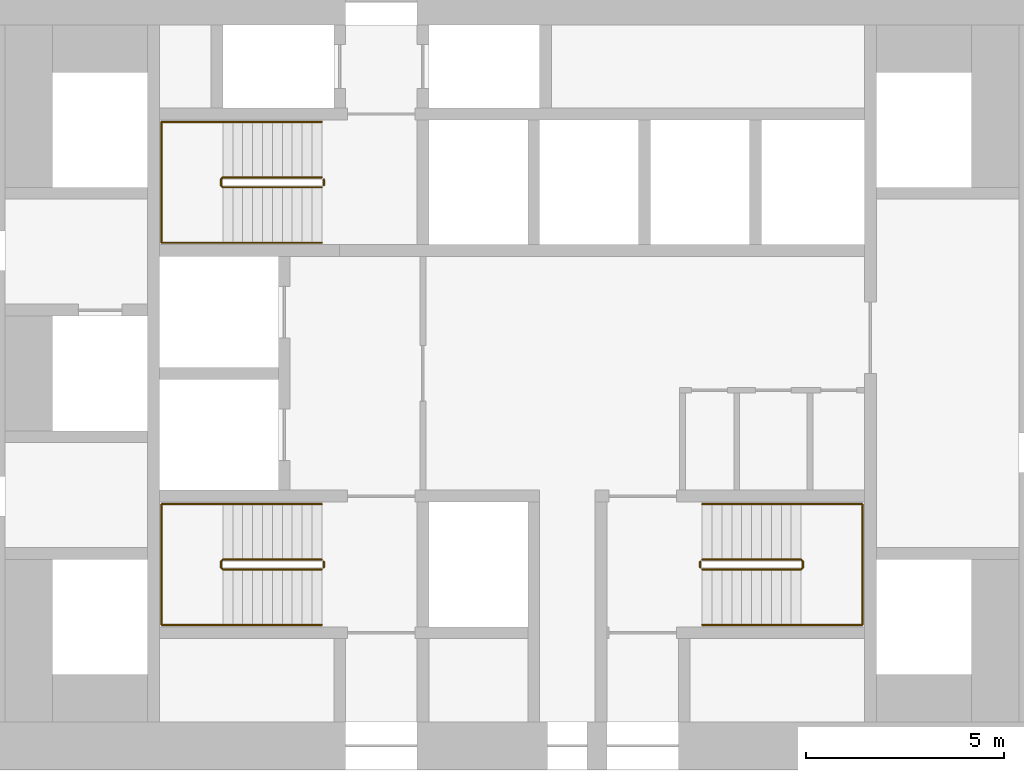
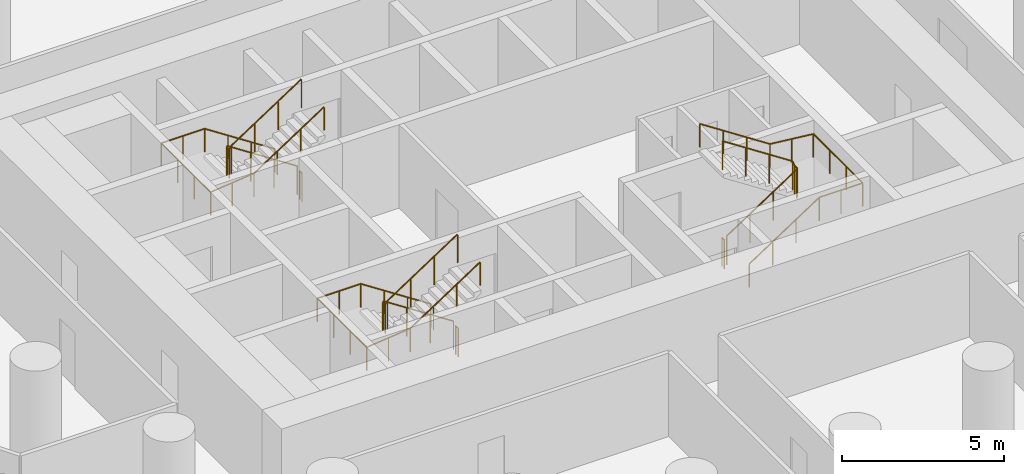
# One storey, part 12 of 12: 9 railings.
"""IFC4 building model written with IfcOpenShell, lengths in metres."""

from ifc_helpers import new_model, si_unit, direction, frame, origin, origin_2d, place, context, subcontext, project, spatial, circle, extrude, material, type_object, element, save


model = new_model("IFC4")

# Units and contexts
model_context = context("Model", 3, precision=1e-05, world=origin(), true_north=direction((0.0, 1.0)))
body_context = subcontext(model_context, "Body", "Model", "MODEL_VIEW")
ifc_project = project(units=[si_unit("LENGTHUNIT", "METRE"), si_unit("AREAUNIT", "SQUARE_METRE"), si_unit("VOLUMEUNIT", "CUBIC_METRE"), si_unit("PLANEANGLEUNIT", "RADIAN"), si_unit("MASSUNIT", "GRAM", prefix="KILO")], contexts=[model_context])

# Site, building, storey
site_placement = place(None, origin())
site = spatial("IfcSite", under=ifc_project, at=site_placement, CompositionType="ELEMENT")
building_placement = place(site_placement, origin())
building = spatial("IfcBuilding", under=site, at=building_placement, Name="Tracery Tower", CompositionType="ELEMENT")
storey_placement = place(building_placement, frame((0.0, 0.0, 42.60009765625)))
storey = spatial("IfcBuildingStorey", under=building, at=storey_placement, Name="L09", CompositionType="ELEMENT", Elevation=42.60009765625)

# Railings
ifc_material_1 = material(Name="Stainless steel and laminated glass", Category="steel")
railing_type_1 = type_object("IfcRailingType", Name="Stair guard 1100", PredefinedType="GUARDRAIL", material=ifc_material_1)
railing_1_placement = place(storey_placement, frame((-4.800048828125, -4.699951171875, 0.16357421875)))
element("IfcRailing", 1, at=railing_1_placement, inside=storey, type_object=railing_type_1, Name="L09 stair ST1 guard 1", PredefinedType="GUARDRAIL", context=body_context, shape_type="SweptSolid", body=[
    extrude(circle(Radius=0.02392578125, at=origin_2d()), frame((0.0, 0.0, 1.076171875), z_axis=(-0.836721939367, 0.0, 0.547627972425), x_axis=(0.0, -1.0, 0.0)), (0.0, 0.0, 1.0), 2.98779296875),
    extrude(circle(Radius=0.02392578125, at=origin_2d()), frame((-2.5, 0.0, 2.71240234375), z_axis=(-0.707106781187, -0.707106781187, 0.0), x_axis=(0.707106781187, -0.707106781187, 0.0)), (0.0, 0.0, 1.0), 0.07080078125),
    extrude(circle(Radius=0.02392578125, at=origin_2d()), frame((-2.550048828125, -0.050048828125, 2.71240234375), z_axis=(0.0, -1.0, 0.0), x_axis=(1.0, 0.0, 0.0)), (0.0, 0.0, 1.0), 0.14990234375),
    extrude(circle(Radius=0.02392578125, at=origin_2d()), frame((-2.550048828125, -0.199951171875, 2.71240234375), z_axis=(0.280456126637, -0.280456126637, 0.917980785237), x_axis=(0.707106781187, 0.707106781187, 0.0)), (0.0, 0.0, 1.0), 0.178466796875),
    extrude(circle(Radius=0.02392578125, at=origin_2d()), frame((-2.5, -0.25, 2.8759765625), z_axis=(0.836721939367, 0.0, 0.547627972425), x_axis=(0.0, 1.0, 0.0)), (0.0, 0.0, 1.0), 2.98779296875),
    extrude(circle(Radius=0.02099609375, at=origin_2d()), origin(), (0.0, 0.0, 1.0), 1.052001953125),
    extrude(circle(Radius=0.02099609375, at=origin_2d()), frame((-0.833251953125, 0.0, 0.54541015625)), (0.0, 0.0, 1.0), 1.052001953125),
    extrude(circle(Radius=0.02099609375, at=origin_2d()), frame((-1.666748046875, 0.0, 1.0908203125)), (0.0, 0.0, 1.0), 1.052001953125),
    extrude(circle(Radius=0.02099609375, at=origin_2d()), frame((-2.5, 0.0, 1.63623046875)), (0.0, 0.0, 1.0), 1.052001953125),
    extrude(circle(Radius=0.02099609375, at=origin_2d()), frame((-2.550048828125, -0.050048828125, 1.63623046875)), (0.0, 0.0, 1.0), 1.052001953125),
    extrude(circle(Radius=0.02099609375, at=origin_2d()), frame((-2.550048828125, -0.199951171875, 1.63623046875)), (0.0, 0.0, 1.0), 1.052001953125),
    extrude(circle(Radius=0.02099609375, at=origin_2d()), frame((-2.5, -0.25, 1.800048828125)), (0.0, 0.0, 1.0), 1.052001953125),
    extrude(circle(Radius=0.02099609375, at=origin_2d()), frame((-1.666748046875, -0.25, 2.345458984375)), (0.0, 0.0, 1.0), 1.052001953125),
    extrude(circle(Radius=0.02099609375, at=origin_2d()), frame((-0.833251953125, -0.25, 2.890869140625)), (0.0, 0.0, 1.0), 1.052001953125),
    extrude(circle(Radius=0.02099609375, at=origin_2d()), frame((0.0, -0.25, 3.436279296875)), (0.0, 0.0, 1.0), 1.052001953125),
])
railing_2_placement = place(storey_placement, frame((-4.75, -4.75, 0.0)))
element("IfcRailing", 2, at=railing_2_placement, inside=storey, type_object=railing_type_1, Name="L09 stair ST1 guard 2", PredefinedType="GUARDRAIL", context=body_context, shape_type="SweptSolid", body=[
    extrude(circle(Radius=0.02392578125, at=origin_2d()), frame((0.0, 0.0, 1.076171875), z_axis=(0.0, -1.0, 0.0), x_axis=(1.0, 0.0, 0.0)), (0.0, 0.0, 1.0), 0.14990234375),
    extrude(circle(Radius=0.02099609375, at=origin_2d()), origin(), (0.0, 0.0, 1.0), 1.052001953125),
    extrude(circle(Radius=0.02099609375, at=origin_2d()), frame((0.0, -0.14990234375, 0.0)), (0.0, 0.0, 1.0), 1.052001953125),
])
railing_3_placement = place(storey_placement, frame((-4.800048828125, 4.949951171875, 0.16357421875)))
element("IfcRailing", 3, at=railing_3_placement, inside=storey, type_object=railing_type_1, Name="L09 stair ST3 guard 1", PredefinedType="GUARDRAIL", context=body_context, shape_type="SweptSolid", body=[
    extrude(circle(Radius=0.02392578125, at=origin_2d()), frame((0.0, 0.0, 1.076171875), z_axis=(-0.836721939367, 0.0, 0.547627972425), x_axis=(0.0, -1.0, 0.0)), (0.0, 0.0, 1.0), 2.98779296875),
    extrude(circle(Radius=0.02392578125, at=origin_2d()), frame((-2.5, 0.0, 2.71240234375), z_axis=(-0.707106781187, -0.707106781187, 0.0), x_axis=(0.707106781187, -0.707106781187, 0.0)), (0.0, 0.0, 1.0), 0.07080078125),
    extrude(circle(Radius=0.02392578125, at=origin_2d()), frame((-2.550048828125, -0.050048828125, 2.71240234375), z_axis=(0.0, -1.0, 0.0), x_axis=(1.0, 0.0, 0.0)), (0.0, 0.0, 1.0), 0.14990234375),
    extrude(circle(Radius=0.02392578125, at=origin_2d()), frame((-2.550048828125, -0.199951171875, 2.71240234375), z_axis=(0.280456126637, -0.280456126637, 0.917980785237), x_axis=(0.707106781187, 0.707106781187, 0.0)), (0.0, 0.0, 1.0), 0.178466796875),
    extrude(circle(Radius=0.02392578125, at=origin_2d()), frame((-2.5, -0.25, 2.8759765625), z_axis=(0.836721939367, 0.0, 0.547627972425), x_axis=(0.0, 1.0, 0.0)), (0.0, 0.0, 1.0), 2.98779296875),
    extrude(circle(Radius=0.02099609375, at=origin_2d()), origin(), (0.0, 0.0, 1.0), 1.052001953125),
    extrude(circle(Radius=0.02099609375, at=origin_2d()), frame((-0.833251953125, 0.0, 0.54541015625)), (0.0, 0.0, 1.0), 1.052001953125),
    extrude(circle(Radius=0.02099609375, at=origin_2d()), frame((-1.666748046875, 0.0, 1.0908203125)), (0.0, 0.0, 1.0), 1.052001953125),
    extrude(circle(Radius=0.02099609375, at=origin_2d()), frame((-2.5, 0.0, 1.63623046875)), (0.0, 0.0, 1.0), 1.052001953125),
    extrude(circle(Radius=0.02099609375, at=origin_2d()), frame((-2.550048828125, -0.050048828125, 1.63623046875)), (0.0, 0.0, 1.0), 1.052001953125),
    extrude(circle(Radius=0.02099609375, at=origin_2d()), frame((-2.550048828125, -0.199951171875, 1.63623046875)), (0.0, 0.0, 1.0), 1.052001953125),
    extrude(circle(Radius=0.02099609375, at=origin_2d()), frame((-2.5, -0.25, 1.800048828125)), (0.0, 0.0, 1.0), 1.052001953125),
    extrude(circle(Radius=0.02099609375, at=origin_2d()), frame((-1.666748046875, -0.25, 2.345458984375)), (0.0, 0.0, 1.0), 1.052001953125),
    extrude(circle(Radius=0.02099609375, at=origin_2d()), frame((-0.833251953125, -0.25, 2.890869140625)), (0.0, 0.0, 1.0), 1.052001953125),
    extrude(circle(Radius=0.02099609375, at=origin_2d()), frame((0.0, -0.25, 3.436279296875)), (0.0, 0.0, 1.0), 1.052001953125),
])
railing_4_placement = place(storey_placement, frame((-4.75, 4.89990234375, 0.0)))
element("IfcRailing", 4, at=railing_4_placement, inside=storey, type_object=railing_type_1, Name="L09 stair ST3 guard 2", PredefinedType="GUARDRAIL", context=body_context, shape_type="SweptSolid", body=[
    extrude(circle(Radius=0.02392578125, at=origin_2d()), frame((0.0, 0.0, 1.076171875), z_axis=(0.0, -1.0, 0.0), x_axis=(1.0, 0.0, 0.0)), (0.0, 0.0, 1.0), 0.14990234375),
    extrude(circle(Radius=0.02099609375, at=origin_2d()), origin(), (0.0, 0.0, 1.0), 1.052001953125),
    extrude(circle(Radius=0.02099609375, at=origin_2d()), frame((0.0, -0.14990234375, 0.0)), (0.0, 0.0, 1.0), 1.052001953125),
])
railing_5_placement = place(storey_placement, frame((4.800048828125, -4.949951171875, 0.16357421875)))
element("IfcRailing", 5, at=railing_5_placement, inside=storey, type_object=railing_type_1, Name="L09 stair ST2 guard 1", PredefinedType="GUARDRAIL", context=body_context, shape_type="SweptSolid", body=[
    extrude(circle(Radius=0.02392578125, at=origin_2d()), frame((0.0, 0.0, 1.076171875), z_axis=(0.836721939367, 0.0, 0.547627972425), x_axis=(0.0, 1.0, 0.0)), (0.0, 0.0, 1.0), 2.98779296875),
    extrude(circle(Radius=0.02392578125, at=origin_2d()), frame((2.5, 0.0, 2.71240234375), z_axis=(0.707106781187, 0.707106781187, 0.0), x_axis=(-0.707106781187, 0.707106781187, 0.0)), (0.0, 0.0, 1.0), 0.07080078125),
    extrude(circle(Radius=0.02392578125, at=origin_2d()), frame((2.550048828125, 0.050048828125, 2.71240234375), z_axis=(0.0, 1.0, 0.0), x_axis=(-1.0, 0.0, 0.0)), (0.0, 0.0, 1.0), 0.14990234375),
    extrude(circle(Radius=0.02392578125, at=origin_2d()), frame((2.550048828125, 0.199951171875, 2.71240234375), z_axis=(-0.280456126637, 0.280456126637, 0.917980785237), x_axis=(-0.707106781187, -0.707106781187, 0.0)), (0.0, 0.0, 1.0), 0.178466796875),
    extrude(circle(Radius=0.02392578125, at=origin_2d()), frame((2.5, 0.25, 2.8759765625), z_axis=(-0.836721939367, 0.0, 0.547627972425), x_axis=(0.0, -1.0, 0.0)), (0.0, 0.0, 1.0), 2.98779296875),
    extrude(circle(Radius=0.02099609375, at=origin_2d()), origin(), (0.0, 0.0, 1.0), 1.052001953125),
    extrude(circle(Radius=0.02099609375, at=origin_2d()), frame((0.833251953125, 0.0, 0.54541015625)), (0.0, 0.0, 1.0), 1.052001953125),
    extrude(circle(Radius=0.02099609375, at=origin_2d()), frame((1.666748046875, 0.0, 1.0908203125)), (0.0, 0.0, 1.0), 1.052001953125),
    extrude(circle(Radius=0.02099609375, at=origin_2d()), frame((2.5, 0.0, 1.63623046875)), (0.0, 0.0, 1.0), 1.052001953125),
    extrude(circle(Radius=0.02099609375, at=origin_2d()), frame((2.550048828125, 0.050048828125, 1.63623046875)), (0.0, 0.0, 1.0), 1.052001953125),
    extrude(circle(Radius=0.02099609375, at=origin_2d()), frame((2.550048828125, 0.199951171875, 1.63623046875)), (0.0, 0.0, 1.0), 1.052001953125),
    extrude(circle(Radius=0.02099609375, at=origin_2d()), frame((2.5, 0.25, 1.800048828125)), (0.0, 0.0, 1.0), 1.052001953125),
    extrude(circle(Radius=0.02099609375, at=origin_2d()), frame((1.666748046875, 0.25, 2.345458984375)), (0.0, 0.0, 1.0), 1.052001953125),
    extrude(circle(Radius=0.02099609375, at=origin_2d()), frame((0.833251953125, 0.25, 2.890869140625)), (0.0, 0.0, 1.0), 1.052001953125),
    extrude(circle(Radius=0.02099609375, at=origin_2d()), frame((0.0, 0.25, 3.436279296875)), (0.0, 0.0, 1.0), 1.052001953125),
])
railing_6_placement = place(storey_placement, frame((4.75, -4.89990234375, 0.0)))
element("IfcRailing", 6, at=railing_6_placement, inside=storey, type_object=railing_type_1, Name="L09 stair ST2 guard 2", PredefinedType="GUARDRAIL", context=body_context, shape_type="SweptSolid", body=[
    extrude(circle(Radius=0.02392578125, at=origin_2d()), frame((0.0, 0.0, 1.076171875), z_axis=(0.0, 1.0, 0.0), x_axis=(-1.0, 0.0, 0.0)), (0.0, 0.0, 1.0), 0.14990234375),
    extrude(circle(Radius=0.02099609375, at=origin_2d()), origin(), (0.0, 0.0, 1.0), 1.052001953125),
    extrude(circle(Radius=0.02099609375, at=origin_2d()), frame((0.0, 0.14990234375, 0.0)), (0.0, 0.0, 1.0), 1.052001953125),
])
ifc_material_2 = material(Name="Stainless steel and laminated glass", Category="steel")
railing_type_2 = type_object("IfcRailingType", Name="Stair handrail 900", PredefinedType="HANDRAIL", material=ifc_material_2)
railing_7_placement = place(storey_placement, frame((-4.800048828125, -3.300048828125, 0.16357421875)))
element("IfcRailing", 7, at=railing_7_placement, inside=storey, type_object=railing_type_2, Name="L09 stair ST1 handrail 1", PredefinedType="HANDRAIL", context=body_context, shape_type="SweptSolid", body=[
    extrude(circle(Radius=0.02392578125, at=origin_2d()), frame((0.0, 0.0, 0.8759765625), z_axis=(-0.836721939367, 0.0, 0.547627972425), x_axis=(0.0, -1.0, 0.0)), (0.0, 0.0, 1.0), 2.98779296875),
    extrude(circle(Radius=0.02392578125, at=origin_2d()), frame((-2.5, 0.0, 2.51220703125), z_axis=(-1.0, 0.0, 0.0), x_axis=(0.0, -1.0, 0.0)), (0.0, 0.0, 1.0), 1.550048828125),
    extrude(circle(Radius=0.02392578125, at=origin_2d()), frame((-4.050048828125, 0.0, 2.51220703125), z_axis=(0.0, -1.0, 0.0), x_axis=(1.0, 0.0, 0.0)), (0.0, 0.0, 1.0), 3.050048828125),
    extrude(circle(Radius=0.02392578125, at=origin_2d()), frame((-4.050048828125, -3.050048828125, 2.51220703125), z_axis=(0.994461594632, 0.0, 0.105100603244), x_axis=(0.0, 1.0, 0.0)), (0.0, 0.0, 1.0), 1.55859375),
    extrude(circle(Radius=0.02392578125, at=origin_2d()), frame((-2.5, -3.050048828125, 2.67578125), z_axis=(0.836721939367, 0.0, 0.547627972425), x_axis=(0.0, 1.0, 0.0)), (0.0, 0.0, 1.0), 2.98779296875),
    extrude(circle(Radius=0.02099609375, at=origin_2d()), origin(), (0.0, 0.0, 1.0), 0.851806640625),
    extrude(circle(Radius=0.02099609375, at=origin_2d()), frame((-0.833251953125, 0.0, 0.54541015625)), (0.0, 0.0, 1.0), 0.851806640625),
    extrude(circle(Radius=0.02099609375, at=origin_2d()), frame((-1.666748046875, 0.0, 1.0908203125)), (0.0, 0.0, 1.0), 0.851806640625),
    extrude(circle(Radius=0.02099609375, at=origin_2d()), frame((-2.5, 0.0, 1.63623046875)), (0.0, 0.0, 1.0), 0.851806640625),
    extrude(circle(Radius=0.02099609375, at=origin_2d()), frame((-3.27490234375, 0.0, 1.63623046875)), (0.0, 0.0, 1.0), 0.851806640625),
    extrude(circle(Radius=0.02099609375, at=origin_2d()), frame((-4.050048828125, 0.0, 1.63623046875)), (0.0, 0.0, 1.0), 0.851806640625),
    extrude(circle(Radius=0.02099609375, at=origin_2d()), frame((-4.050048828125, -1.0166015625, 1.63623046875)), (0.0, 0.0, 1.0), 0.851806640625),
    extrude(circle(Radius=0.02099609375, at=origin_2d()), frame((-4.050048828125, -2.033447265625, 1.63623046875)), (0.0, 0.0, 1.0), 0.851806640625),
    extrude(circle(Radius=0.02099609375, at=origin_2d()), frame((-4.050048828125, -3.050048828125, 1.63623046875)), (0.0, 0.0, 1.0), 0.851806640625),
    extrude(circle(Radius=0.02099609375, at=origin_2d()), frame((-3.27490234375, -3.050048828125, 1.71826171875)), (0.0, 0.0, 1.0), 0.851806640625),
    extrude(circle(Radius=0.02099609375, at=origin_2d()), frame((-2.5, -3.050048828125, 1.800048828125)), (0.0, 0.0, 1.0), 0.851806640625),
    extrude(circle(Radius=0.02099609375, at=origin_2d()), frame((-1.666748046875, -3.050048828125, 2.345458984375)), (0.0, 0.0, 1.0), 0.851806640625),
    extrude(circle(Radius=0.02099609375, at=origin_2d()), frame((-0.833251953125, -3.050048828125, 2.890869140625)), (0.0, 0.0, 1.0), 0.851806640625),
    extrude(circle(Radius=0.02099609375, at=origin_2d()), frame((0.0, -3.050048828125, 3.436279296875)), (0.0, 0.0, 1.0), 0.851806640625),
])
railing_8_placement = place(storey_placement, frame((-4.800048828125, 6.35009765625, 0.16357421875)))
element("IfcRailing", 8, at=railing_8_placement, inside=storey, type_object=railing_type_2, Name="L09 stair ST3 handrail 1", PredefinedType="HANDRAIL", context=body_context, shape_type="SweptSolid", body=[
    extrude(circle(Radius=0.02392578125, at=origin_2d()), frame((0.0, 0.0, 0.8759765625), z_axis=(-0.836721939367, 0.0, 0.547627972425), x_axis=(0.0, -1.0, 0.0)), (0.0, 0.0, 1.0), 2.98779296875),
    extrude(circle(Radius=0.02392578125, at=origin_2d()), frame((-2.5, 0.0, 2.51220703125), z_axis=(-1.0, 0.0, 0.0), x_axis=(0.0, -1.0, 0.0)), (0.0, 0.0, 1.0), 1.550048828125),
    extrude(circle(Radius=0.02392578125, at=origin_2d()), frame((-4.050048828125, 0.0, 2.51220703125), z_axis=(0.0, -1.0, 0.0), x_axis=(1.0, 0.0, 0.0)), (0.0, 0.0, 1.0), 3.050048828125),
    extrude(circle(Radius=0.02392578125, at=origin_2d()), frame((-4.050048828125, -3.050048828125, 2.51220703125), z_axis=(0.994461594632, 0.0, 0.105100603244), x_axis=(0.0, 1.0, 0.0)), (0.0, 0.0, 1.0), 1.55859375),
    extrude(circle(Radius=0.02392578125, at=origin_2d()), frame((-2.5, -3.050048828125, 2.67578125), z_axis=(0.836721939367, 0.0, 0.547627972425), x_axis=(0.0, 1.0, 0.0)), (0.0, 0.0, 1.0), 2.98779296875),
    extrude(circle(Radius=0.02099609375, at=origin_2d()), origin(), (0.0, 0.0, 1.0), 0.851806640625),
    extrude(circle(Radius=0.02099609375, at=origin_2d()), frame((-0.833251953125, 0.0, 0.54541015625)), (0.0, 0.0, 1.0), 0.851806640625),
    extrude(circle(Radius=0.02099609375, at=origin_2d()), frame((-1.666748046875, 0.0, 1.0908203125)), (0.0, 0.0, 1.0), 0.851806640625),
    extrude(circle(Radius=0.02099609375, at=origin_2d()), frame((-2.5, 0.0, 1.63623046875)), (0.0, 0.0, 1.0), 0.851806640625),
    extrude(circle(Radius=0.02099609375, at=origin_2d()), frame((-3.27490234375, 0.0, 1.63623046875)), (0.0, 0.0, 1.0), 0.851806640625),
    extrude(circle(Radius=0.02099609375, at=origin_2d()), frame((-4.050048828125, 0.0, 1.63623046875)), (0.0, 0.0, 1.0), 0.851806640625),
    extrude(circle(Radius=0.02099609375, at=origin_2d()), frame((-4.050048828125, -1.0166015625, 1.63623046875)), (0.0, 0.0, 1.0), 0.851806640625),
    extrude(circle(Radius=0.02099609375, at=origin_2d()), frame((-4.050048828125, -2.033447265625, 1.63623046875)), (0.0, 0.0, 1.0), 0.851806640625),
    extrude(circle(Radius=0.02099609375, at=origin_2d()), frame((-4.050048828125, -3.050048828125, 1.63623046875)), (0.0, 0.0, 1.0), 0.851806640625),
    extrude(circle(Radius=0.02099609375, at=origin_2d()), frame((-3.27490234375, -3.050048828125, 1.71826171875)), (0.0, 0.0, 1.0), 0.851806640625),
    extrude(circle(Radius=0.02099609375, at=origin_2d()), frame((-2.5, -3.050048828125, 1.800048828125)), (0.0, 0.0, 1.0), 0.851806640625),
    extrude(circle(Radius=0.02099609375, at=origin_2d()), frame((-1.666748046875, -3.050048828125, 2.345458984375)), (0.0, 0.0, 1.0), 0.851806640625),
    extrude(circle(Radius=0.02099609375, at=origin_2d()), frame((-0.833251953125, -3.050048828125, 2.890869140625)), (0.0, 0.0, 1.0), 0.851806640625),
    extrude(circle(Radius=0.02099609375, at=origin_2d()), frame((0.0, -3.050048828125, 3.436279296875)), (0.0, 0.0, 1.0), 0.851806640625),
])
railing_9_placement = place(storey_placement, frame((4.800048828125, -6.35009765625, 0.16357421875)))
element("IfcRailing", 9, at=railing_9_placement, inside=storey, type_object=railing_type_2, Name="L09 stair ST2 handrail 1", PredefinedType="HANDRAIL", context=body_context, shape_type="SweptSolid", body=[
    extrude(circle(Radius=0.02392578125, at=origin_2d()), frame((0.0, 0.0, 0.8759765625), z_axis=(0.836721939367, 0.0, 0.547627972425), x_axis=(0.0, 1.0, 0.0)), (0.0, 0.0, 1.0), 2.98779296875),
    extrude(circle(Radius=0.02392578125, at=origin_2d()), frame((2.5, 0.0, 2.51220703125), z_axis=(1.0, 0.0, 0.0), x_axis=(0.0, 1.0, 0.0)), (0.0, 0.0, 1.0), 1.550048828125),
    extrude(circle(Radius=0.02392578125, at=origin_2d()), frame((4.050048828125, 0.0, 2.51220703125), z_axis=(0.0, 1.0, 0.0), x_axis=(-1.0, 0.0, 0.0)), (0.0, 0.0, 1.0), 3.050048828125),
    extrude(circle(Radius=0.02392578125, at=origin_2d()), frame((4.050048828125, 3.050048828125, 2.51220703125), z_axis=(-0.994461594632, 0.0, 0.105100603244), x_axis=(0.0, -1.0, 0.0)), (0.0, 0.0, 1.0), 1.55859375),
    extrude(circle(Radius=0.02392578125, at=origin_2d()), frame((2.5, 3.050048828125, 2.67578125), z_axis=(-0.836721939367, 0.0, 0.547627972425), x_axis=(0.0, -1.0, 0.0)), (0.0, 0.0, 1.0), 2.98779296875),
    extrude(circle(Radius=0.02099609375, at=origin_2d()), origin(), (0.0, 0.0, 1.0), 0.851806640625),
    extrude(circle(Radius=0.02099609375, at=origin_2d()), frame((0.833251953125, 0.0, 0.54541015625)), (0.0, 0.0, 1.0), 0.851806640625),
    extrude(circle(Radius=0.02099609375, at=origin_2d()), frame((1.666748046875, 0.0, 1.0908203125)), (0.0, 0.0, 1.0), 0.851806640625),
    extrude(circle(Radius=0.02099609375, at=origin_2d()), frame((2.5, 0.0, 1.63623046875)), (0.0, 0.0, 1.0), 0.851806640625),
    extrude(circle(Radius=0.02099609375, at=origin_2d()), frame((3.27490234375, 0.0, 1.63623046875)), (0.0, 0.0, 1.0), 0.851806640625),
    extrude(circle(Radius=0.02099609375, at=origin_2d()), frame((4.050048828125, 0.0, 1.63623046875)), (0.0, 0.0, 1.0), 0.851806640625),
    extrude(circle(Radius=0.02099609375, at=origin_2d()), frame((4.050048828125, 1.0166015625, 1.63623046875)), (0.0, 0.0, 1.0), 0.851806640625),
    extrude(circle(Radius=0.02099609375, at=origin_2d()), frame((4.050048828125, 2.033447265625, 1.63623046875)), (0.0, 0.0, 1.0), 0.851806640625),
    extrude(circle(Radius=0.02099609375, at=origin_2d()), frame((4.050048828125, 3.050048828125, 1.63623046875)), (0.0, 0.0, 1.0), 0.851806640625),
    extrude(circle(Radius=0.02099609375, at=origin_2d()), frame((3.27490234375, 3.050048828125, 1.71826171875)), (0.0, 0.0, 1.0), 0.851806640625),
    extrude(circle(Radius=0.02099609375, at=origin_2d()), frame((2.5, 3.050048828125, 1.800048828125)), (0.0, 0.0, 1.0), 0.851806640625),
    extrude(circle(Radius=0.02099609375, at=origin_2d()), frame((1.666748046875, 3.050048828125, 2.345458984375)), (0.0, 0.0, 1.0), 0.851806640625),
    extrude(circle(Radius=0.02099609375, at=origin_2d()), frame((0.833251953125, 3.050048828125, 2.890869140625)), (0.0, 0.0, 1.0), 0.851806640625),
    extrude(circle(Radius=0.02099609375, at=origin_2d()), frame((0.0, 3.050048828125, 3.436279296875)), (0.0, 0.0, 1.0), 0.851806640625),
])

save(model, "model.ifc")
